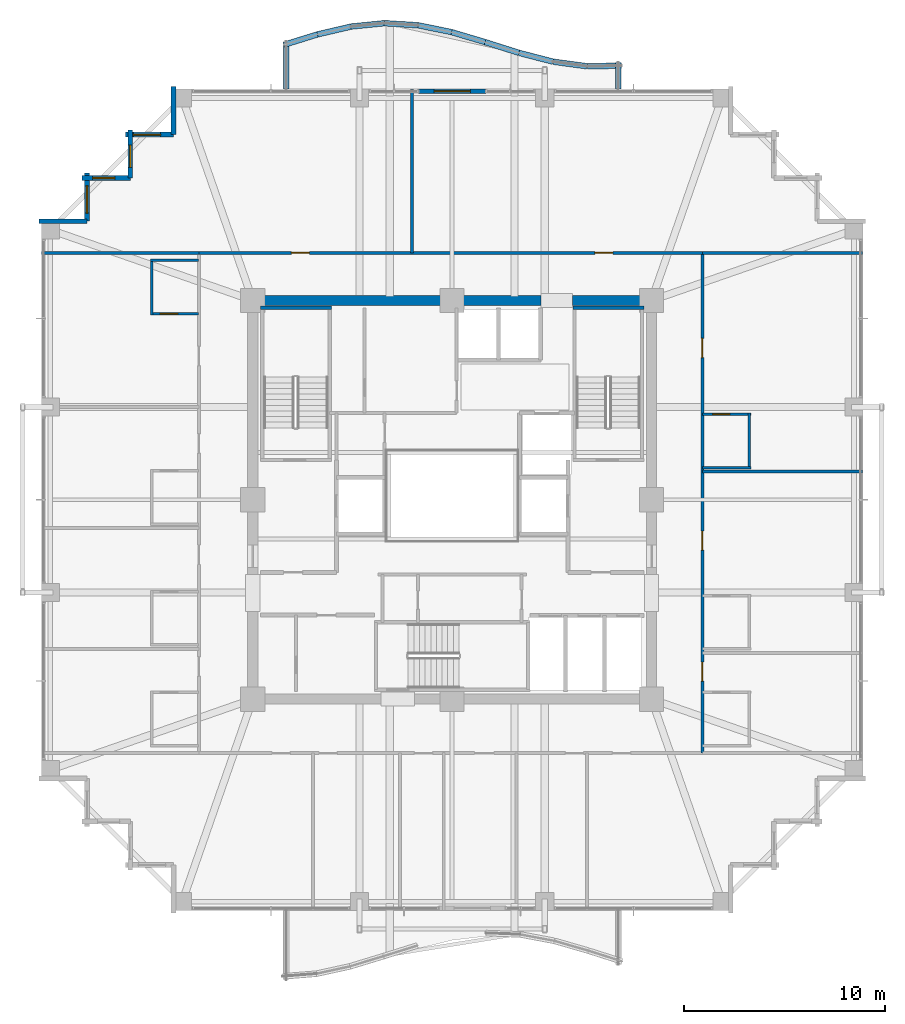
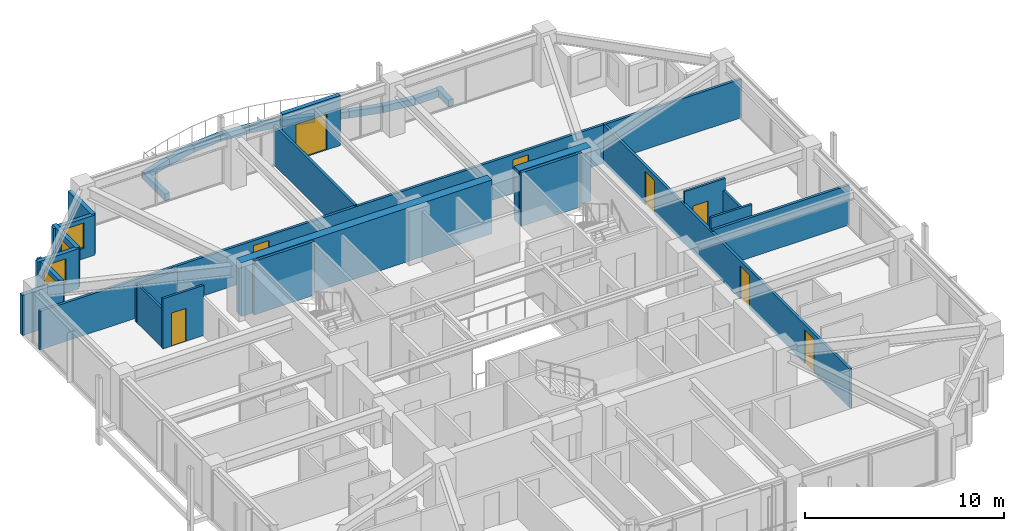
# One storey, part 34 of 37: 35 walls, 8 doors, 4 windows, 12 openings.
"""IFC4 building model written with IfcOpenShell, lengths in metres."""

from ifc_helpers import new_model, si_unit, direction, frame, frame_2d, origin, place, context, subcontext, project, spatial, rectangle, extrude, material, layer, layer_set, type_object, element, fill, save


model = new_model("IFC4")

# Units and contexts
model_context = context("Model", 3, precision=1e-05, world=origin(), true_north=direction((0.0, 1.0)))
body_context = subcontext(model_context, "Body", "Model", "MODEL_VIEW")
ifc_project = project(units=[si_unit("LENGTHUNIT", "METRE"), si_unit("AREAUNIT", "SQUARE_METRE"), si_unit("VOLUMEUNIT", "CUBIC_METRE"), si_unit("PLANEANGLEUNIT", "RADIAN"), si_unit("MASSUNIT", "GRAM", prefix="KILO")], contexts=[model_context])

# Site, building, storey
site_placement = place(None, origin())
site = spatial("IfcSite", under=ifc_project, at=site_placement, CompositionType="ELEMENT")
building_placement = place(site_placement, origin())
building = spatial("IfcBuilding", under=site, at=building_placement, Name="Kolvaren Belvedere", CompositionType="ELEMENT")
storey_placement = place(building_placement, frame((0.0, 0.0, 173.39990234375)))
storey = spatial("IfcBuildingStorey", under=building, at=storey_placement, Name="L50", CompositionType="ELEMENT", Elevation=173.39990234375)

# Walls
ifc_material_1 = material(Name="Concrete C50/60", Category="concrete")
ifc_layer_1 = layer(ifc_material_1, 0.5)
ifc_layer_set_1 = layer_set([ifc_layer_1], Name="Concrete C50/60")
wall_type_1 = type_object("IfcWallType", Name="CW-CORE-500", PredefinedType="SHEAR", material=ifc_layer_set_1)
wall_1_placement = place(storey_placement, frame((-10.14990234375, 9.89990234375, 0.0), z_axis=(0.0, 0.0, 1.0), x_axis=(1.0, 0.0, 0.0)))
element("IfcWall", 1, at=wall_1_placement, inside=storey, type_object=wall_type_1, Name="L50 North Core Shear Wall 1", PredefinedType="SHEAR", context=body_context, shape_type="SweptSolid", body=[
    extrude(rectangle(XDim=14.56982421875, YDim=0.5, at=frame_2d((7.284912109375, 0.0))), origin(), (0.0, 0.0, 1.0), 3.300048828125),
])
wall_2_placement = place(storey_placement, frame((5.97998046875, 9.89990234375, 0.0), z_axis=(0.0, 0.0, 1.0), x_axis=(1.0, 0.0, 0.0)))
element("IfcWall", 2, at=wall_2_placement, inside=storey, type_object=wall_type_1, Name="L50 North Core Shear Wall 2", PredefinedType="SHEAR", context=body_context, shape_type="SweptSolid", body=[
    extrude(rectangle(XDim=4.169921875, YDim=0.5, at=frame_2d((2.0849609375, 0.0))), origin(), (0.0, 0.0, 1.0), 3.300048828125),
])
ifc_material_2 = material(Name="Concrete C50/60", Category="concrete")
ifc_layer_2 = layer(ifc_material_2, 0.159912109375)
ifc_layer_set_2 = layer_set([ifc_layer_2], Name="Concrete C50/60")
wall_type_2 = type_object("IfcWallType", Name="CW-STAIR-160", PredefinedType="SHEAR", material=ifc_layer_set_2)
for number, where, z_axis, x_axis, name in (
    (3, (-9.52001953125, 9.530029296875, 0.0), (0.0, 0.0, 1.0), (1.0, 0.0, 0.0), "L50 Stair ST-1 North Shear Wall"),
    (4, (6.0, 9.530029296875, 0.0), (0.0, 0.0, 1.0), (1.0, 0.0, 0.0), "L50 Stair ST-2 North Shear Wall"),
):
    element("IfcWall", number, at=place(storey_placement, frame(where, z_axis=z_axis, x_axis=x_axis)), inside=storey, type_object=wall_type_2, Name=name, PredefinedType="SHEAR", context=body_context, shape_type="SweptSolid", body=[
        extrude(rectangle(XDim=3.52001953125, YDim=0.159912109375, at=frame_2d((1.760009765625, 0.0))), origin(), (0.0, 0.0, 1.0), 3.300048828125),
    ])

# Wall, openings, doors
ifc_material_3 = material(Name="Gypsum fire-rated partition assembly", Category="gypsum")
ifc_layer_3 = layer(ifc_material_3, 0.14990234375)
ifc_layer_set_3 = layer_set([ifc_layer_3], Name="Gypsum fire-rated partition assembly")
wall_type_3 = type_object("IfcWallType", Name="WL-CORR-150", PredefinedType="PARTITIONING", material=ifc_layer_set_3)
wall_3_placement = place(storey_placement, frame((-12.580078125, 12.260009765625, 0.0), z_axis=(0.0, 0.0, 1.0), x_axis=(1.0, 0.0, 0.0)))
wall_3 = element("IfcWall", 5, at=wall_3_placement, inside=storey, type_object=wall_type_3, Name="L50 North Corridor Wall", PredefinedType="PARTITIONING", context=body_context, shape_type="SweptSolid", body=[
    extrude(rectangle(XDim=25.0, YDim=0.14990234375, at=frame_2d((12.5, 0.0))), origin(), (0.0, 0.0, 1.0), 2.369140625),
])
opening_1_placement = place(wall_3_placement, frame((4.594970703125, 0.0, 0.0)))
opening_1 = element("IfcOpeningElement", 6, at=opening_1_placement, cuts=wall_3, Name="Opening D-INT90", PredefinedType="OPENING", context=body_context, shape_type="SweptSolid", body=[
    extrude(rectangle(XDim=0.89990234375, YDim=2.06005859375, at=frame_2d((0.449951171875, 1.030029296875))), frame((0.0, 0.0849609375, 0.0), z_axis=(0.0, -1.0, 0.0), x_axis=(1.0, 0.0, 0.0)), (0.0, 0.0, 1.0), 0.169921875),
])
opening_2_placement = place(wall_3_placement, frame((19.6650390625, 0.0, 0.0)))
opening_2 = element("IfcOpeningElement", 7, at=opening_2_placement, cuts=wall_3, Name="Opening D-INT90", PredefinedType="OPENING", context=body_context, shape_type="SweptSolid", body=[
    extrude(rectangle(XDim=0.89990234375, YDim=2.06005859375, at=frame_2d((0.449951171875, 1.030029296875))), frame((0.0, 0.0849609375, 0.0), z_axis=(0.0, -1.0, 0.0), x_axis=(1.0, 0.0, 0.0)), (0.0, 0.0, 1.0), 0.169921875),
])
ifc_material_4 = material(Name="Stained Pacific white oak", Category="timber")
door_type_1 = type_object("IfcDoorType", Name="DR-INT-900", OperationType="NOTDEFINED", PredefinedType="DOOR", material=ifc_material_4)
door_1_placement = place(opening_1_placement, origin())
door_1 = element("IfcDoor", 8, at=door_1_placement, inside=storey, type_object=door_type_1, Name="L50 Lounge 5012 Door", OperationType="SINGLE_SWING_RIGHT", OverallHeight=2.06005859375, OverallWidth=0.89990234375, PredefinedType="DOOR", context=body_context, shape_type="SweptSolid", body=[
    extrude(rectangle(XDim=0.89990234375, YDim=2.06005859375, at=frame_2d((0.449951171875, 1.030029296875))), frame((0.0, 0.02490234375, 0.0), z_axis=(0.0, -1.0, 0.0), x_axis=(1.0, 0.0, 0.0)), (0.0, 0.0, 1.0), 0.050048828125),
])
fill(opening_1, door_1)
door_2_placement = place(opening_2_placement, origin())
door_2 = element("IfcDoor", 9, at=door_2_placement, inside=storey, type_object=door_type_1, Name="L50 Lounge 5013 Door", OperationType="SINGLE_SWING_LEFT", OverallHeight=2.06005859375, OverallWidth=0.89990234375, PredefinedType="DOOR", context=body_context, shape_type="SweptSolid", body=[
    extrude(rectangle(XDim=0.89990234375, YDim=2.06005859375, at=frame_2d((0.449951171875, 1.030029296875))), frame((0.0, 0.02490234375, 0.0), z_axis=(0.0, -1.0, 0.0), x_axis=(1.0, 0.0, 0.0)), (0.0, 0.0, 1.0), 0.050048828125),
])
fill(opening_2, door_2)

wall_4_placement = place(storey_placement, frame((12.419921875, -12.580078125, 0.0), z_axis=(0.0, 0.0, 1.0), x_axis=(0.0, 1.0, 0.0)))
wall_4 = element("IfcWall", 10, at=wall_4_placement, inside=storey, type_object=wall_type_3, Name="L50 East Corridor Wall", PredefinedType="PARTITIONING", context=body_context, shape_type="SweptSolid", body=[
    extrude(rectangle(XDim=24.840087890625, YDim=0.14990234375, at=frame_2d((12.419921875, 0.0))), origin(), (0.0, 0.0, 1.0), 2.369140625),
])
opening_3_placement = place(wall_4_placement, frame((3.572509765625, 0.0, 0.0)))
opening_3 = element("IfcOpeningElement", 11, at=opening_3_placement, cuts=wall_4, Name="Opening D-FD60", PredefinedType="OPENING", context=body_context, shape_type="SweptSolid", body=[
    extrude(rectangle(XDim=0.949951171875, YDim=2.06005859375, at=frame_2d((0.47509765625, 1.030029296875))), frame((0.0, 0.0849609375, 0.0), z_axis=(0.0, -1.0, 0.0), x_axis=(1.0, 0.0, 0.0)), (0.0, 0.0, 1.0), 0.169921875),
])
opening_4_placement = place(wall_4_placement, frame((10.074951171875, 0.0, 0.0)))
opening_4 = element("IfcOpeningElement", 12, at=opening_4_placement, cuts=wall_4, Name="Opening D-FD60", PredefinedType="OPENING", context=body_context, shape_type="SweptSolid", body=[
    extrude(rectangle(XDim=0.949951171875, YDim=2.06005859375, at=frame_2d((0.47509765625, 1.030029296875))), frame((0.0, 0.0849609375, 0.0), z_axis=(0.0, -1.0, 0.0), x_axis=(1.0, 0.0, 0.0)), (0.0, 0.0, 1.0), 0.169921875),
])
opening_5_placement = place(wall_4_placement, frame((19.639892578125, 0.0, 0.0)))
opening_5 = element("IfcOpeningElement", 13, at=opening_5_placement, cuts=wall_4, Name="Opening D-FD60", PredefinedType="OPENING", context=body_context, shape_type="SweptSolid", body=[
    extrude(rectangle(XDim=0.949951171875, YDim=2.06005859375, at=frame_2d((0.47509765625, 1.030029296875))), frame((0.0, 0.0849609375, 0.0), z_axis=(0.0, -1.0, 0.0), x_axis=(1.0, 0.0, 0.0)), (0.0, 0.0, 1.0), 0.169921875),
])
ifc_material_5 = material(Name="Acoustic white-oak fire door leaf", Category="timber")
door_type_2 = type_object("IfcDoorType", Name="DR-FD60-950", OperationType="NOTDEFINED", PredefinedType="DOOR", material=ifc_material_5)
door_3_placement = place(opening_3_placement, origin())
door_3 = element("IfcDoor", 14, at=door_3_placement, inside=storey, type_object=door_type_2, Name="L50 Botanical Hospitality Suite 5005 Entry Door", OperationType="SINGLE_SWING_LEFT", OverallHeight=2.06005859375, OverallWidth=0.949951171875, PredefinedType="DOOR", context=body_context, shape_type="SweptSolid", body=[
    extrude(rectangle(XDim=0.949951171875, YDim=2.06005859375, at=frame_2d((0.47509765625, 1.030029296875))), frame((0.0, 0.02490234375, 0.0), z_axis=(0.0, -1.0, 0.0), x_axis=(1.0, 0.0, 0.0)), (0.0, 0.0, 1.0), 0.050048828125),
])
fill(opening_3, door_3)
door_4_placement = place(opening_4_placement, origin())
door_4 = element("IfcDoor", 15, at=door_4_placement, inside=storey, type_object=door_type_2, Name="L50 King Guest Room 5006 Entry Door", OperationType="SINGLE_SWING_LEFT", OverallHeight=2.06005859375, OverallWidth=0.949951171875, PredefinedType="DOOR", context=body_context, shape_type="SweptSolid", body=[
    extrude(rectangle(XDim=0.949951171875, YDim=2.06005859375, at=frame_2d((0.47509765625, 1.030029296875))), frame((0.0, 0.02490234375, 0.0), z_axis=(0.0, -1.0, 0.0), x_axis=(1.0, 0.0, 0.0)), (0.0, 0.0, 1.0), 0.050048828125),
])
fill(opening_4, door_4)
door_5_placement = place(opening_5_placement, origin())
door_5 = element("IfcDoor", 16, at=door_5_placement, inside=storey, type_object=door_type_2, Name="L50 Botanical Hospitality Suite 5007 Entry Door", OperationType="SINGLE_SWING_LEFT", OverallHeight=2.06005859375, OverallWidth=0.949951171875, PredefinedType="DOOR", context=body_context, shape_type="SweptSolid", body=[
    extrude(rectangle(XDim=0.949951171875, YDim=2.06005859375, at=frame_2d((0.47509765625, 1.030029296875))), frame((0.0, 0.02490234375, 0.0), z_axis=(0.0, -1.0, 0.0), x_axis=(1.0, 0.0, 0.0)), (0.0, 0.0, 1.0), 0.050048828125),
])
fill(opening_5, door_5)

# Wall, opening, door
ifc_material_6 = material(Name="Insulated pale-metal facade wall assembly", Category="aluminium")
ifc_layer_4 = layer(ifc_material_6, 0.239990234375)
ifc_layer_set_4 = layer_set([ifc_layer_4], Name="Insulated pale-metal facade wall assembly")
wall_type_4 = type_object("IfcWallType", Name="WL-EXT-240", PredefinedType="STANDARD", material=ifc_layer_set_4)
wall_5_placement = place(storey_placement, frame((-1.679931640625, 20.280029296875, 0.0), z_axis=(0.0, 0.0, 1.0), x_axis=(1.0, 0.0, 0.0)))
wall_5 = element("IfcWall", 17, at=wall_5_placement, inside=storey, type_object=wall_type_4, Name="L50 North Terrace Portal Wall", PredefinedType="STANDARD", context=body_context, shape_type="SweptSolid", body=[
    extrude(rectangle(XDim=3.35986328125, YDim=0.239990234375, at=frame_2d((1.679931640625, 0.0))), origin(), (0.0, 0.0, 1.0), 3.080078125),
])
opening_6_placement = place(wall_5_placement, frame((0.780029296875, 0.0, 0.0)))
opening_6 = element("IfcOpeningElement", 18, at=opening_6_placement, cuts=wall_5, Name="Opening DB-1800", PredefinedType="OPENING", context=body_context, shape_type="SweptSolid", body=[
    extrude(rectangle(XDim=1.800048828125, YDim=2.199951171875, at=frame_2d((0.89990234375, 1.10009765625))), frame((0.0, 0.1298828125, 0.0), z_axis=(0.0, -1.0, 0.0), x_axis=(1.0, 0.0, 0.0)), (0.0, 0.0, 1.0), 0.260009765625),
])
ifc_material_7 = material(Name="Thermally broken pale-metal aluminium & low-iron glass", Category="aluminium")
door_type_3 = type_object("IfcDoorType", Name="DR-BAL-1800", OperationType="DOUBLE_DOOR_SLIDING", PredefinedType="DOOR", material=ifc_material_7)
door_6_placement = place(opening_6_placement, origin())
door_6 = element("IfcDoor", 19, at=door_6_placement, inside=storey, type_object=door_type_3, Name="L50 North Planted Terrace Sliding Door", OperationType="DOUBLE_DOOR_SLIDING", OverallHeight=2.199951171875, OverallWidth=1.800048828125, PredefinedType="DOOR", context=body_context, shape_type="SweptSolid", body=[
    extrude(rectangle(XDim=1.800048828125, YDim=2.199951171875, at=frame_2d((0.89990234375, 1.10009765625))), frame((0.0, 0.02490234375, 0.0), z_axis=(0.0, -1.0, 0.0), x_axis=(1.0, 0.0, 0.0)), (0.0, 0.0, 1.0), 0.050048828125),
])
fill(opening_6, door_6)

# Wall
wall_6_placement = place(storey_placement, frame((-13.830078125, 18.1298828125, 0.0), z_axis=(0.0, 0.0, 1.0), x_axis=(0.0, 1.0, 0.0)))
element("IfcWall", 20, at=wall_6_placement, inside=storey, type_object=wall_type_4, Name="L50 Serrated Corner Facade Wall 16", PredefinedType="STANDARD", context=body_context, shape_type="SweptSolid", body=[
    extrude(rectangle(XDim=2.39013671875, YDim=0.239990234375, at=frame_2d((1.195068359375, 0.0))), origin(), (0.0, 0.0, 1.0), 2.463134765625),
])

# Wall, opening, window
wall_7_placement = place(storey_placement, frame((-16.219970703125, 18.1298828125, 0.0), z_axis=(0.0, 0.0, 1.0), x_axis=(1.0, 0.0, 0.0)))
wall_7 = element("IfcWall", 21, at=wall_7_placement, inside=storey, type_object=wall_type_4, Name="L50 Serrated Corner Facade Wall 17", PredefinedType="STANDARD", context=body_context, shape_type="SweptSolid", body=[
    extrude(rectangle(XDim=2.389892578125, YDim=0.239990234375, at=frame_2d((1.19482421875, 0.0))), origin(), (0.0, 0.0, 1.0), 2.463134765625),
])
opening_7_placement = place(wall_7_placement, frame((0.39990234375, 0.0, 0.64990234375)))
opening_7 = element("IfcOpeningElement", 22, at=opening_7_placement, cuts=wall_7, Name="Opening W-1350", PredefinedType="OPENING", context=body_context, shape_type="SweptSolid", body=[
    extrude(rectangle(XDim=1.35009765625, YDim=1.550048828125, at=frame_2d((0.675048828125, 0.77490234375))), frame((0.0, 0.1298828125, 0.0), z_axis=(0.0, -1.0, 0.0), x_axis=(1.0, 0.0, 0.0)), (0.0, 0.0, 1.0), 0.260009765625),
])
ifc_material_8 = material(Name="Low-iron triple insulated glass", Category="glass")
window_type_1 = type_object("IfcWindowType", Name="WN-CORN-1350", PartitioningType="SINGLE_PANEL", PredefinedType="WINDOW", material=ifc_material_8)
window_1_placement = place(opening_7_placement, origin())
window_1 = element("IfcWindow", 23, at=window_1_placement, inside=storey, type_object=window_type_1, Name="L50 Serrated Corner Vision Window 17", OverallHeight=1.550048828125, OverallWidth=1.35009765625, PartitioningType="SINGLE_PANEL", PredefinedType="WINDOW", context=body_context, shape_type="SweptSolid", body=[
    extrude(rectangle(XDim=1.35009765625, YDim=1.550048828125, at=frame_2d((0.675048828125, 0.77490234375))), frame((0.0, 0.030029296875, 0.0), z_axis=(0.0, -1.0, 0.0), x_axis=(1.0, 0.0, 0.0)), (0.0, 0.0, 1.0), 0.06005859375),
])
fill(opening_7, window_1)

wall_8_placement = place(storey_placement, frame((-15.97998046875, 15.97998046875, 0.0), z_axis=(0.0, 0.0, 1.0), x_axis=(0.0, 1.0, 0.0)))
wall_8 = element("IfcWall", 24, at=wall_8_placement, inside=storey, type_object=wall_type_4, Name="L50 Serrated Corner Facade Wall 18", PredefinedType="STANDARD", context=body_context, shape_type="SweptSolid", body=[
    extrude(rectangle(XDim=2.39013671875, YDim=0.239990234375, at=frame_2d((1.195068359375, 0.0))), origin(), (0.0, 0.0, 1.0), 2.463134765625),
])
opening_8_placement = place(wall_8_placement, frame((0.52490234375, 0.0, 0.64990234375)))
opening_8 = element("IfcOpeningElement", 25, at=opening_8_placement, cuts=wall_8, Name="Opening W-1100", PredefinedType="OPENING", context=body_context, shape_type="SweptSolid", body=[
    extrude(rectangle(XDim=1.10009765625, YDim=1.449951171875, at=frame_2d((0.550048828125, 0.72509765625))), frame((0.0, 0.1298828125, 0.0), z_axis=(0.0, -1.0, 0.0), x_axis=(1.0, 0.0, 0.0)), (0.0, 0.0, 1.0), 0.260009765625),
])
ifc_material_9 = material(Name="Low-iron triple insulated glass", Category="glass")
window_type_2 = type_object("IfcWindowType", Name="WN-CORN-1100", PartitioningType="SINGLE_PANEL", PredefinedType="WINDOW", material=ifc_material_9)
window_2_placement = place(opening_8_placement, origin())
window_2 = element("IfcWindow", 26, at=window_2_placement, inside=storey, type_object=window_type_2, Name="L50 Serrated Corner Vision Window 18", OverallHeight=1.449951171875, OverallWidth=1.10009765625, PartitioningType="SINGLE_PANEL", PredefinedType="WINDOW", context=body_context, shape_type="SweptSolid", body=[
    extrude(rectangle(XDim=1.10009765625, YDim=1.449951171875, at=frame_2d((0.550048828125, 0.72509765625))), frame((0.0, 0.030029296875, 0.0), z_axis=(0.0, -1.0, 0.0), x_axis=(1.0, 0.0, 0.0)), (0.0, 0.0, 1.0), 0.06005859375),
])
fill(opening_8, window_2)

wall_9_placement = place(storey_placement, frame((-18.3701171875, 15.97998046875, 0.0), z_axis=(0.0, 0.0, 1.0), x_axis=(1.0, 0.0, 0.0)))
wall_9 = element("IfcWall", 27, at=wall_9_placement, inside=storey, type_object=wall_type_4, Name="L50 Serrated Corner Facade Wall 19", PredefinedType="STANDARD", context=body_context, shape_type="SweptSolid", body=[
    extrude(rectangle(XDim=2.39013671875, YDim=0.239990234375, at=frame_2d((1.195068359375, 0.0))), origin(), (0.0, 0.0, 1.0), 2.463134765625),
])
opening_9_placement = place(wall_9_placement, frame((0.52490234375, 0.0, 0.64990234375)))
opening_9 = element("IfcOpeningElement", 28, at=opening_9_placement, cuts=wall_9, Name="Opening W-1100", PredefinedType="OPENING", context=body_context, shape_type="SweptSolid", body=[
    extrude(rectangle(XDim=1.10009765625, YDim=1.449951171875, at=frame_2d((0.550048828125, 0.72509765625))), frame((0.0, 0.1298828125, 0.0), z_axis=(0.0, -1.0, 0.0), x_axis=(1.0, 0.0, 0.0)), (0.0, 0.0, 1.0), 0.260009765625),
])
window_3_placement = place(opening_9_placement, origin())
window_3 = element("IfcWindow", 29, at=window_3_placement, inside=storey, type_object=window_type_2, Name="L50 Serrated Corner Vision Window 19", OverallHeight=1.449951171875, OverallWidth=1.10009765625, PartitioningType="SINGLE_PANEL", PredefinedType="WINDOW", context=body_context, shape_type="SweptSolid", body=[
    extrude(rectangle(XDim=1.10009765625, YDim=1.449951171875, at=frame_2d((0.550048828125, 0.72509765625))), frame((0.0, 0.030029296875, 0.0), z_axis=(0.0, -1.0, 0.0), x_axis=(1.0, 0.0, 0.0)), (0.0, 0.0, 1.0), 0.06005859375),
])
fill(opening_9, window_3)

wall_10_placement = place(storey_placement, frame((-18.1298828125, 13.830078125, 0.0), z_axis=(0.0, 0.0, 1.0), x_axis=(0.0, 1.0, 0.0)))
wall_10 = element("IfcWall", 30, at=wall_10_placement, inside=storey, type_object=wall_type_4, Name="L50 Serrated Corner Facade Wall 20", PredefinedType="STANDARD", context=body_context, shape_type="SweptSolid", body=[
    extrude(rectangle(XDim=2.389892578125, YDim=0.239990234375, at=frame_2d((1.19482421875, 0.0))), origin(), (0.0, 0.0, 1.0), 2.463134765625),
])
opening_10_placement = place(wall_10_placement, frame((0.39990234375, 0.0, 0.64990234375)))
opening_10 = element("IfcOpeningElement", 31, at=opening_10_placement, cuts=wall_10, Name="Opening W-1350", PredefinedType="OPENING", context=body_context, shape_type="SweptSolid", body=[
    extrude(rectangle(XDim=1.35009765625, YDim=1.550048828125, at=frame_2d((0.675048828125, 0.77490234375))), frame((0.0, 0.1298828125, 0.0), z_axis=(0.0, -1.0, 0.0), x_axis=(1.0, 0.0, 0.0)), (0.0, 0.0, 1.0), 0.260009765625),
])
window_4_placement = place(opening_10_placement, origin())
window_4 = element("IfcWindow", 32, at=window_4_placement, inside=storey, type_object=window_type_1, Name="L50 Serrated Corner Vision Window 20", OverallHeight=1.550048828125, OverallWidth=1.35009765625, PartitioningType="SINGLE_PANEL", PredefinedType="WINDOW", context=body_context, shape_type="SweptSolid", body=[
    extrude(rectangle(XDim=1.35009765625, YDim=1.550048828125, at=frame_2d((0.675048828125, 0.77490234375))), frame((0.0, 0.030029296875, 0.0), z_axis=(0.0, -1.0, 0.0), x_axis=(1.0, 0.0, 0.0)), (0.0, 0.0, 1.0), 0.06005859375),
])
fill(opening_10, window_4)

# Walls
wall_11_placement = place(storey_placement, frame((-20.52001953125, 13.830078125, 0.0), z_axis=(0.0, 0.0, 1.0), x_axis=(1.0, 0.0, 0.0)))
element("IfcWall", 33, at=wall_11_placement, inside=storey, type_object=wall_type_4, Name="L50 Serrated Corner Facade Wall 21", PredefinedType="STANDARD", context=body_context, shape_type="SweptSolid", body=[
    extrude(rectangle(XDim=2.39013671875, YDim=0.239990234375, at=frame_2d((1.195068359375, 0.0))), origin(), (0.0, 0.0, 1.0), 2.463134765625),
])
ifc_material_10 = material(Name="Gypsum acoustic partition assembly", Category="gypsum")
ifc_layer_5 = layer(ifc_material_10, 0.14990234375)
ifc_layer_set_5 = layer_set([ifc_layer_5], Name="Gypsum acoustic partition assembly")
wall_type_5 = type_object("IfcWallType", Name="WL-PART-150", PredefinedType="PARTITIONING", material=ifc_layer_set_5)
wall_12_placement = place(storey_placement, frame((-20.3798828125, 12.260009765625, 0.0), z_axis=(0.0, 0.0, 1.0), x_axis=(1.0, 0.0, 0.0)))
element("IfcWall", 34, at=wall_12_placement, inside=storey, type_object=wall_type_5, Name="L50 Wing Divider PW-L50-QNW", PredefinedType="PARTITIONING", context=body_context, shape_type="SweptSolid", body=[
    extrude(rectangle(XDim=7.7998046875, YDim=0.14990234375, at=frame_2d((3.89990234375, 0.0))), origin(), (0.0, 0.0, 1.0), 2.369140625),
])
wall_13_placement = place(storey_placement, frame((12.419921875, 12.260009765625, 0.0), z_axis=(0.0, 0.0, 1.0), x_axis=(1.0, 0.0, 0.0)))
element("IfcWall", 35, at=wall_13_placement, inside=storey, type_object=wall_type_5, Name="L50 Wing Divider PW-L50-QNE", PredefinedType="PARTITIONING", context=body_context, shape_type="SweptSolid", body=[
    extrude(rectangle(XDim=7.9599609375, YDim=0.14990234375, at=frame_2d((3.97998046875, 0.0))), origin(), (0.0, 0.0, 1.0), 2.369140625),
])
wall_14_placement = place(storey_placement, frame((12.419921875, 1.39990234375, 0.0), z_axis=(0.0, 0.0, 1.0), x_axis=(1.0, 0.0, 0.0)))
element("IfcWall", 36, at=wall_14_placement, inside=storey, type_object=wall_type_5, Name="L50 East Suite Demising Wall 2", PredefinedType="PARTITIONING", context=body_context, shape_type="SweptSolid", body=[
    extrude(rectangle(XDim=7.9599609375, YDim=0.14990234375, at=frame_2d((3.97998046875, 0.0))), origin(), (0.0, 0.0, 1.0), 2.453125),
])
wall_15_placement = place(storey_placement, frame((-2.0, 12.260009765625, 0.0), z_axis=(0.0, 0.0, 1.0), x_axis=(0.0, 1.0, 0.0)))
element("IfcWall", 37, at=wall_15_placement, inside=storey, type_object=wall_type_5, Name="L50 North Suite Demising Wall 1", PredefinedType="PARTITIONING", context=body_context, shape_type="SweptSolid", body=[
    extrude(rectangle(XDim=8.119873046875, YDim=0.14990234375, at=frame_2d((4.06005859375, 0.0))), origin(), (0.0, 0.0, 1.0), 2.453125),
])
ifc_material_11 = material(Name="Precast concrete C40/50", Category="concrete")
ifc_layer_6 = layer(ifc_material_11, 0.300048828125)
ifc_layer_set_6 = layer_set([ifc_layer_6], Name="Precast concrete C40/50")
wall_type_6 = type_object("IfcWallType", Name="WL-PLANTER-300", PredefinedType="PARAPET", material=ifc_layer_set_6)
wall_16_placement = place(storey_placement, frame((8.239990234375, 20.39990234375, -0.039794921875), z_axis=(0.0, 0.0, 1.0), x_axis=(0.0, 1.0, 0.0)))
element("IfcWall", 38, at=wall_16_placement, inside=storey, type_object=wall_type_6, Name="L50 Precast Structural Planter Wall BAL-N-11", PredefinedType="PARAPET", context=body_context, shape_type="SweptSolid", body=[
    extrude(rectangle(XDim=1.31298828125, YDim=0.280029296875, at=frame_2d((0.656494140625, 0.0))), origin(), (0.0, 0.0, 1.0), 0.419921875),
])
wall_17_placement = place(storey_placement, frame((8.4033203125, 21.552978515625, -0.039794921875), z_axis=(0.0, 0.0, 1.0), x_axis=(-0.99979609052, -0.020193498486, 0.0)))
element("IfcWall", 39, at=wall_17_placement, inside=storey, type_object=wall_type_6, Name="L50 Precast Structural Planter Wall BAL-N-12", PredefinedType="PARAPET", context=body_context, shape_type="SweptSolid", body=[
    extrude(rectangle(XDim=1.680419921875, YDim=0.280029296875, at=frame_2d((0.84033203125, 0.0))), origin(), (0.0, 0.0, 1.0), 0.419921875),
])
wall_18_placement = place(storey_placement, frame((6.698486328125, 21.5205078125, -0.039794921875), z_axis=(0.0, 0.0, 1.0), x_axis=(-0.990858183042, 0.134907602079, 0.0)))
element("IfcWall", 40, at=wall_18_placement, inside=storey, type_object=wall_type_6, Name="L50 Precast Structural Planter Wall BAL-N-13", PredefinedType="PARAPET", context=body_context, shape_type="SweptSolid", body=[
    extrude(rectangle(XDim=1.695556640625, YDim=0.280029296875, at=frame_2d((0.84765625, 0.0))), origin(), (0.0, 0.0, 1.0), 0.419921875),
])
wall_19_placement = place(storey_placement, frame((5.0, 21.7529296875, -0.039794921875), z_axis=(0.0, 0.0, 1.0), x_axis=(-0.968141031826, 0.250405556038, 0.0)))
element("IfcWall", 41, at=wall_19_placement, inside=storey, type_object=wall_type_6, Name="L50 Precast Structural Planter Wall BAL-N-14", PredefinedType="PARAPET", context=body_context, shape_type="SweptSolid", body=[
    extrude(rectangle(XDim=1.7353515625, YDim=0.280029296875, at=frame_2d((0.86767578125, 0.0))), origin(), (0.0, 0.0, 1.0), 0.419921875),
])
wall_20_placement = place(storey_placement, frame((3.3115234375, 22.18994140625, -0.039794921875), z_axis=(0.0, 0.0, 1.0), x_axis=(-0.953181954832, 0.302397356111, 0.0)))
element("IfcWall", 42, at=wall_20_placement, inside=storey, type_object=wall_type_6, Name="L50 Precast Structural Planter Wall BAL-N-15", PredefinedType="PARAPET", context=body_context, shape_type="SweptSolid", body=[
    extrude(rectangle(XDim=1.762451171875, YDim=0.280029296875, at=frame_2d((0.88134765625, 0.0))), origin(), (0.0, 0.0, 1.0), 0.419921875),
])
wall_21_placement = place(storey_placement, frame((1.634521484375, 22.721923828125, -0.039794921875), z_axis=(0.0, 0.0, 1.0), x_axis=(-0.958536356279, 0.284970268083, 0.0)))
element("IfcWall", 43, at=wall_21_placement, inside=storey, type_object=wall_type_6, Name="L50 Precast Structural Planter Wall BAL-N-16", PredefinedType="PARAPET", context=body_context, shape_type="SweptSolid", body=[
    extrude(rectangle(XDim=1.7529296875, YDim=0.280029296875, at=frame_2d((0.87646484375, 0.0))), origin(), (0.0, 0.0, 1.0), 0.419921875),
])
wall_22_placement = place(storey_placement, frame((-0.031982421875, 23.218017578125, -0.039794921875), z_axis=(0.0, 0.0, 1.0), x_axis=(-0.979867779516, 0.199647526069, 0.0)))
element("IfcWall", 44, at=wall_22_placement, inside=storey, type_object=wall_type_6, Name="L50 Precast Structural Planter Wall BAL-N-17", PredefinedType="PARAPET", context=body_context, shape_type="SweptSolid", body=[
    extrude(rectangle(XDim=1.71435546875, YDim=0.280029296875, at=frame_2d((0.857177734375, 0.0))), origin(), (0.0, 0.0, 1.0), 0.419921875),
])
wall_23_placement = place(storey_placement, frame((-1.689697265625, 23.5576171875, -0.039794921875), z_axis=(0.0, 0.0, 1.0), x_axis=(-0.998134101522, 0.061059932685, 0.0)))
element("IfcWall", 45, at=wall_23_placement, inside=storey, type_object=wall_type_6, Name="L50 Precast Structural Planter Wall BAL-N-18", PredefinedType="PARAPET", context=body_context, shape_type="SweptSolid", body=[
    extrude(rectangle(XDim=1.683349609375, YDim=0.280029296875, at=frame_2d((0.841796875, 0.0))), origin(), (0.0, 0.0, 1.0), 0.419921875),
])
wall_24_placement = place(storey_placement, frame((-3.343994140625, 23.660888671875, -0.039794921875), z_axis=(0.0, 0.0, 1.0), x_axis=(-0.995025731437, -0.099618240186, 0.0)))
element("IfcWall", 46, at=wall_24_placement, inside=storey, type_object=wall_type_6, Name="L50 Precast Structural Planter Wall BAL-N-19", PredefinedType="PARAPET", context=body_context, shape_type="SweptSolid", body=[
    extrude(rectangle(XDim=1.6884765625, YDim=0.280029296875, at=frame_2d((0.84423828125, 0.0))), origin(), (0.0, 0.0, 1.0), 0.419921875),
])
wall_25_placement = place(storey_placement, frame((-5.003662109375, 23.49609375, -0.039794921875), z_axis=(0.0, 0.0, 1.0), x_axis=(-0.973890253884, -0.227019323824, 0.0)))
element("IfcWall", 47, at=wall_25_placement, inside=storey, type_object=wall_type_6, Name="L50 Precast Structural Planter Wall BAL-N-20", PredefinedType="PARAPET", context=body_context, shape_type="SweptSolid", body=[
    extrude(rectangle(XDim=1.724853515625, YDim=0.280029296875, at=frame_2d((0.8623046875, 0.0))), origin(), (0.0, 0.0, 1.0), 0.419921875),
])
wall_26_placement = place(storey_placement, frame((-6.672607421875, 23.107421875, -0.039794921875), z_axis=(0.0, 0.0, 1.0), x_axis=(-0.955252278476, -0.29579229954, 0.0)))
element("IfcWall", 48, at=wall_26_placement, inside=storey, type_object=wall_type_6, Name="L50 Precast Structural Planter Wall BAL-N-21", PredefinedType="PARAPET", context=body_context, shape_type="SweptSolid", body=[
    extrude(rectangle(XDim=1.7587890625, YDim=0.280029296875, at=frame_2d((0.87939453125, 0.0))), origin(), (0.0, 0.0, 1.0), 0.419921875),
])
wall_27_placement = place(storey_placement, frame((-8.239990234375, 22.739990234375, -0.039794921875), z_axis=(0.0, 0.0, 1.0), x_axis=(0.0, -1.0, 0.0)))
element("IfcWall", 49, at=wall_27_placement, inside=storey, type_object=wall_type_6, Name="L50 Precast Structural Planter Wall BAL-N-22", PredefinedType="PARAPET", context=body_context, shape_type="SweptSolid", body=[
    extrude(rectangle(XDim=2.340087890625, YDim=0.280029296875, at=frame_2d((1.169921875, 0.0))), origin(), (0.0, 0.0, 1.0), 0.419921875),
])

# Wall, opening, door
ifc_material_12 = material(Name="Moisture-resistant gypsum partition", Category="gypsum")
ifc_layer_7 = layer(ifc_material_12, 0.125)
ifc_layer_set_7 = layer_set([ifc_layer_7], Name="Moisture-resistant gypsum partition")
wall_type_7 = type_object("IfcWallType", Name="WL-WET-125", PredefinedType="PARTITIONING", material=ifc_layer_set_7)
wall_28_placement = place(storey_placement, frame((12.43505859375, 4.2451171875, 0.0), z_axis=(0.0, 0.0, 1.0), x_axis=(1.0, 0.0, 0.0)))
wall_28 = element("IfcWall", 50, at=wall_28_placement, inside=storey, type_object=wall_type_7, Name="L50 Bathroom Partition PW-L50-BTH-7-N", PredefinedType="PARTITIONING", context=body_context, shape_type="SweptSolid", body=[
    extrude(rectangle(XDim=2.389892578125, YDim=0.125, at=frame_2d((1.19482421875, 0.0))), origin(), (0.0, 0.0, 1.0), 3.080078125),
])
opening_11_placement = place(wall_28_placement, frame((0.5, 0.0, 0.0)))
opening_11 = element("IfcOpeningElement", 51, at=opening_11_placement, cuts=wall_28, Name="Opening D-BTH85", PredefinedType="OPENING", context=body_context, shape_type="SweptSolid", body=[
    extrude(rectangle(XDim=0.85009765625, YDim=2.030029296875, at=frame_2d((0.425048828125, 1.01513671875))), frame((0.0, 0.072509765625, 0.0), z_axis=(0.0, -1.0, 0.0), x_axis=(1.0, 0.0, 0.0)), (0.0, 0.0, 1.0), 0.14501953125),
])
ifc_material_13 = material(Name="Moisture-sealed Pacific white oak", Category="timber")
door_type_4 = type_object("IfcDoorType", Name="DR-BATH-850", OperationType="NOTDEFINED", PredefinedType="DOOR", material=ifc_material_13)
door_7_placement = place(opening_11_placement, origin())
door_7 = element("IfcDoor", 52, at=door_7_placement, inside=storey, type_object=door_type_4, Name="L50 En-Suite Bathroom 5007 Door", OperationType="SINGLE_SWING_RIGHT", OverallHeight=2.030029296875, OverallWidth=0.85009765625, PredefinedType="DOOR", context=body_context, shape_type="SweptSolid", body=[
    extrude(rectangle(XDim=0.85009765625, YDim=2.030029296875, at=frame_2d((0.425048828125, 1.01513671875))), frame((0.0, 0.02490234375, 0.0), z_axis=(0.0, -1.0, 0.0), x_axis=(1.0, 0.0, 0.0)), (0.0, 0.0, 1.0), 0.050048828125),
])
fill(opening_11, door_7)

# Walls
wall_29_placement = place(storey_placement, frame((14.7451171875, 1.534912109375, 0.0), z_axis=(0.0, 0.0, 1.0), x_axis=(0.0, 1.0, 0.0)))
element("IfcWall", 53, at=wall_29_placement, inside=storey, type_object=wall_type_7, Name="L50 Bathroom Partition PW-L50-BTH-7-V", PredefinedType="PARTITIONING", context=body_context, shape_type="SweptSolid", body=[
    extrude(rectangle(XDim=2.77001953125, YDim=0.125, at=frame_2d((1.385009765625, 0.0))), origin(), (0.0, 0.0, 1.0), 2.369140625),
])
wall_30_placement = place(storey_placement, frame((12.43505859375, 1.594970703125, 0.0), z_axis=(0.0, 0.0, 1.0), x_axis=(1.0, 0.0, 0.0)))
element("IfcWall", 54, at=wall_30_placement, inside=storey, type_object=wall_type_7, Name="L50 Bathroom Partition PW-L50-BTH-7-S", PredefinedType="PARTITIONING", context=body_context, shape_type="SweptSolid", body=[
    extrude(rectangle(XDim=2.389892578125, YDim=0.125, at=frame_2d((1.19482421875, 0.0))), origin(), (0.0, 0.0, 1.0), 3.080078125),
])

# Wall, opening, door
wall_31_placement = place(storey_placement, frame((-14.985107421875, 9.23095703125, 0.0), z_axis=(0.0, 0.0, 1.0), x_axis=(1.0, 0.0, 0.0)))
wall_31 = element("IfcWall", 55, at=wall_31_placement, inside=storey, type_object=wall_type_7, Name="L50 Bathroom Partition PW-L50-BTH-11-N", PredefinedType="PARTITIONING", context=body_context, shape_type="SweptSolid", body=[
    extrude(rectangle(XDim=2.39013671875, YDim=0.125, at=frame_2d((1.195068359375, 0.0))), origin(), (0.0, 0.0, 1.0), 3.080078125),
])
opening_12_placement = place(wall_31_placement, frame((0.5, 0.0, 0.0)))
opening_12 = element("IfcOpeningElement", 56, at=opening_12_placement, cuts=wall_31, Name="Opening D-BTH85", PredefinedType="OPENING", context=body_context, shape_type="SweptSolid", body=[
    extrude(rectangle(XDim=0.85009765625, YDim=2.030029296875, at=frame_2d((0.425048828125, 1.01513671875))), frame((0.0, 0.072509765625, 0.0), z_axis=(0.0, -1.0, 0.0), x_axis=(1.0, 0.0, 0.0)), (0.0, 0.0, 1.0), 0.14501953125),
])
door_8_placement = place(opening_12_placement, origin())
door_8 = element("IfcDoor", 57, at=door_8_placement, inside=storey, type_object=door_type_4, Name="L50 En-Suite Bathroom 5011 Door", OperationType="SINGLE_SWING_RIGHT", OverallHeight=2.030029296875, OverallWidth=0.85009765625, PredefinedType="DOOR", context=body_context, shape_type="SweptSolid", body=[
    extrude(rectangle(XDim=0.85009765625, YDim=2.030029296875, at=frame_2d((0.425048828125, 1.01513671875))), frame((0.0, 0.02490234375, 0.0), z_axis=(0.0, -1.0, 0.0), x_axis=(1.0, 0.0, 0.0)), (0.0, 0.0, 1.0), 0.050048828125),
])
fill(opening_12, door_8)

# Walls
wall_32_placement = place(storey_placement, frame((-14.905029296875, 9.1708984375, 0.0), z_axis=(0.0, 0.0, 1.0), x_axis=(0.0, 1.0, 0.0)))
element("IfcWall", 58, at=wall_32_placement, inside=storey, type_object=wall_type_7, Name="L50 Bathroom Partition PW-L50-BTH-11-V", PredefinedType="PARTITIONING", context=body_context, shape_type="SweptSolid", body=[
    extrude(rectangle(XDim=2.77001953125, YDim=0.125, at=frame_2d((1.385009765625, 0.0))), origin(), (0.0, 0.0, 1.0), 2.369140625),
])
wall_33_placement = place(storey_placement, frame((-14.985107421875, 11.881103515625, 0.0), z_axis=(0.0, 0.0, 1.0), x_axis=(1.0, 0.0, 0.0)))
element("IfcWall", 59, at=wall_33_placement, inside=storey, type_object=wall_type_7, Name="L50 Bathroom Partition PW-L50-BTH-11-S", PredefinedType="PARTITIONING", context=body_context, shape_type="SweptSolid", body=[
    extrude(rectangle(XDim=2.39013671875, YDim=0.125, at=frame_2d((1.195068359375, 0.0))), origin(), (0.0, 0.0, 1.0), 2.369140625),
])

save(model, "model.ifc")
